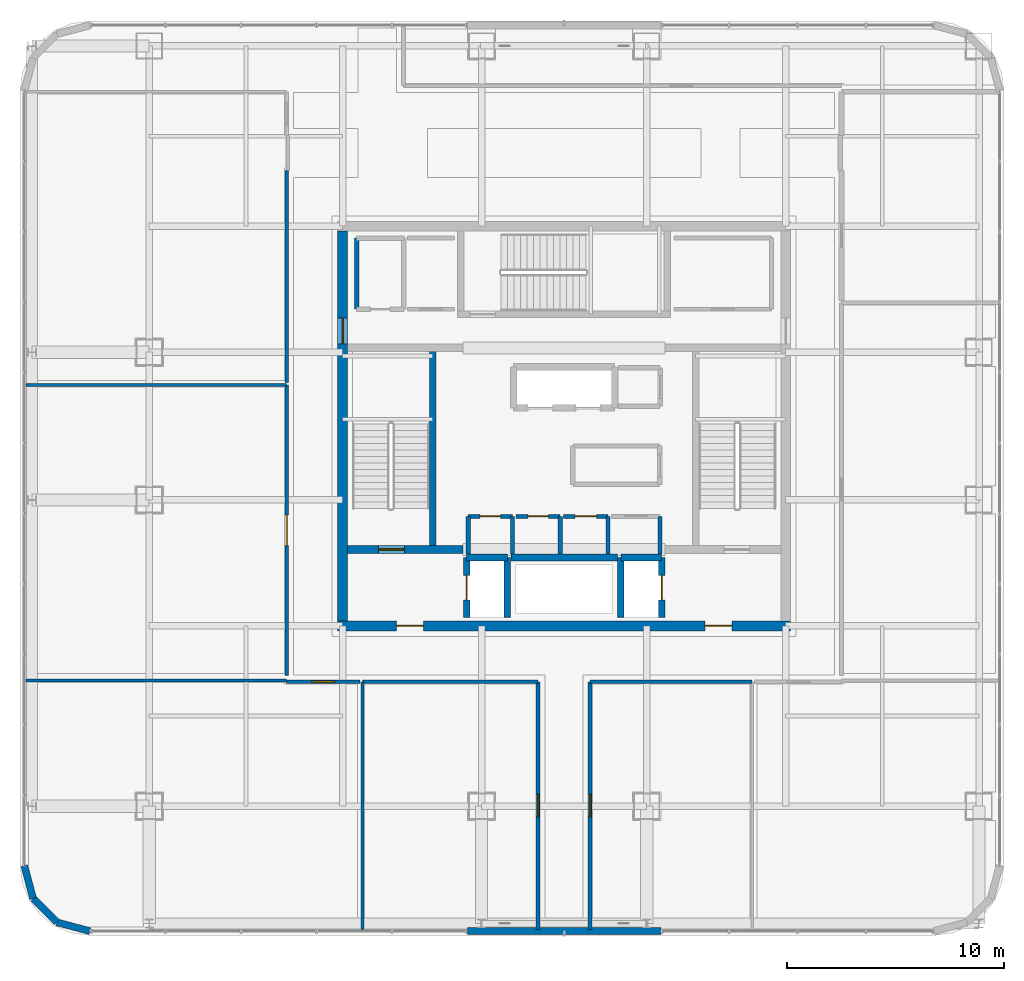
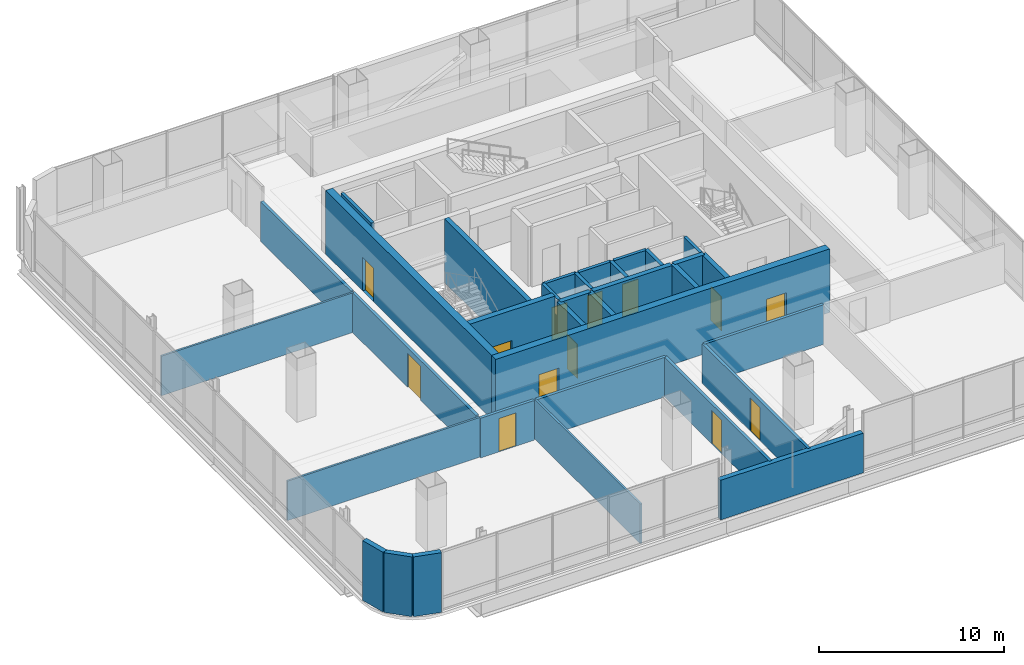
# One storey, part 35 of 46: 34 walls, 13 doors, 13 openings.
"""IFC4 building model written with IfcOpenShell, lengths in metres."""

from ifc_helpers import new_model, si_unit, direction, frame, frame_2d, origin, place, context, subcontext, project, spatial, rectangle, extrude, material, layer, layer_set, type_object, element, fill, save


model = new_model("IFC4")

# Units and contexts
model_context = context("Model", 3, precision=1e-05, world=origin(), true_north=direction((0.0, 1.0)))
body_context = subcontext(model_context, "Body", "Model", "MODEL_VIEW")
ifc_project = project(units=[si_unit("LENGTHUNIT", "METRE"), si_unit("AREAUNIT", "SQUARE_METRE"), si_unit("VOLUMEUNIT", "CUBIC_METRE"), si_unit("PLANEANGLEUNIT", "RADIAN"), si_unit("MASSUNIT", "GRAM", prefix="KILO")], contexts=[model_context])

# Site, building, storey
site_placement = place(None, origin())
site = spatial("IfcSite", under=ifc_project, at=site_placement, CompositionType="ELEMENT")
building_placement = place(site_placement, origin())
building = spatial("IfcBuilding", under=site, at=building_placement, Name="Punatoya Terracotta Tower", CompositionType="ELEMENT")
storey_placement = place(building_placement, frame((0.0, 0.0, 330.0)))
storey = spatial("IfcBuildingStorey", under=building, at=storey_placement, Name="L78", CompositionType="ELEMENT", Elevation=330.0)

# Wall, openings, doors
ifc_material_1 = material(Name="Concrete C50/60", Category="concrete")
ifc_layer_1 = layer(ifc_material_1, 0.449951171875)
ifc_layer_set_1 = layer_set([ifc_layer_1], Name="Concrete C50/60")
wall_type_1 = type_object("IfcWallType", Name="WL-COR-450", PredefinedType="SHEAR", material=ifc_layer_set_1)
wall_1_placement = place(storey_placement, frame((10.425048828125, -9.199951171875, 0.0), z_axis=(0.0, 0.0, 1.0), x_axis=(-1.0, 0.0, 0.0)))
wall_1 = element("IfcWall", 1, at=wall_1_placement, inside=storey, type_object=wall_type_1, Name="L78 Core Shear Wall S", PredefinedType="SHEAR", context=body_context, shape_type="SweptSolid", body=[
    extrude(rectangle(XDim=20.85009765625, YDim=0.449951171875, at=frame_2d((10.425048828125, 0.0))), origin(), (0.0, 0.0, 1.0), 4.199951171875),
])
opening_1_placement = place(wall_1_placement, frame((2.699951171875, 0.0, 0.0)))
opening_1 = element("IfcOpeningElement", 2, at=opening_1_placement, cuts=wall_1, Name="Opening FD-L1", PredefinedType="OPENING", context=body_context, shape_type="SweptSolid", body=[
    extrude(rectangle(XDim=1.25, YDim=2.25, at=frame_2d((0.625, 1.125))), frame((0.0, 0.23486328125, 0.0), z_axis=(0.0, -1.0, 0.0), x_axis=(1.0, 0.0, 0.0)), (0.0, 0.0, 1.0), 0.469970703125),
])
opening_2_placement = place(wall_1_placement, frame((16.89990234375, 0.0, 0.0)))
opening_2 = element("IfcOpeningElement", 3, at=opening_2_placement, cuts=wall_1, Name="Opening FD-L1", PredefinedType="OPENING", context=body_context, shape_type="SweptSolid", body=[
    extrude(rectangle(XDim=1.25, YDim=2.25, at=frame_2d((0.625, 1.125))), frame((0.0, 0.23486328125, 0.0), z_axis=(0.0, -1.0, 0.0), x_axis=(1.0, 0.0, 0.0)), (0.0, 0.0, 1.0), 0.469970703125),
])
ifc_material_2 = material(Name="Galvanised Steel Smokeproof Fire Door", Category="steel")
door_type_1 = type_object("IfcDoorType", Name="DR-FFL-1250", OperationType="NOTDEFINED", PredefinedType="DOOR", material=ifc_material_2)
door_1_placement = place(opening_1_placement, origin())
door_1 = element("IfcDoor", 4, at=door_1_placement, inside=storey, type_object=door_type_1, Name="L78 East Firefighting Lobby Corridor Fire Door", OperationType="SINGLE_SWING_LEFT", OverallHeight=2.25, OverallWidth=1.25, PredefinedType="DOOR", context=body_context, shape_type="SweptSolid", body=[
    extrude(rectangle(XDim=1.25, YDim=2.25, at=frame_2d((0.625, 1.125))), frame((0.0, 0.02490234375, 0.0), z_axis=(0.0, -1.0, 0.0), x_axis=(1.0, 0.0, 0.0)), (0.0, 0.0, 1.0), 0.050048828125),
])
fill(opening_1, door_1)
door_2_placement = place(opening_2_placement, origin())
door_2 = element("IfcDoor", 5, at=door_2_placement, inside=storey, type_object=door_type_1, Name="L78 West Firefighting Lobby Corridor Fire Door", OperationType="SINGLE_SWING_RIGHT", OverallHeight=2.25, OverallWidth=1.25, PredefinedType="DOOR", context=body_context, shape_type="SweptSolid", body=[
    extrude(rectangle(XDim=1.25, YDim=2.25, at=frame_2d((0.625, 1.125))), frame((0.0, 0.02490234375, 0.0), z_axis=(0.0, -1.0, 0.0), x_axis=(1.0, 0.0, 0.0)), (0.0, 0.0, 1.0), 0.050048828125),
])
fill(opening_2, door_2)

# Wall, opening, door
wall_2_placement = place(storey_placement, frame((-10.199951171875, -8.97509765625, 0.0), z_axis=(0.0, 0.0, 1.0), x_axis=(0.0, 1.0, 0.0)))
wall_2 = element("IfcWall", 6, at=wall_2_placement, inside=storey, type_object=wall_type_1, Name="L78 Core Shear Wall W", PredefinedType="SHEAR", context=body_context, shape_type="SweptSolid", body=[
    extrude(rectangle(XDim=17.9501953125, YDim=0.449951171875, at=frame_2d((8.97509765625, 0.0))), origin(), (0.0, 0.0, 1.0), 4.199951171875),
])
opening_3_placement = place(wall_2_placement, frame((12.764892578125, 0.0, 0.0)))
opening_3 = element("IfcOpeningElement", 7, at=opening_3_placement, cuts=wall_2, Name="Opening SD-01", PredefinedType="OPENING", context=body_context, shape_type="SweptSolid", body=[
    extrude(rectangle(XDim=1.179931640625, YDim=2.199951171875, at=frame_2d((0.58984375, 1.10009765625))), frame((0.0, 0.23486328125, 0.0), z_axis=(0.0, -1.0, 0.0), x_axis=(1.0, 0.0, 0.0)), (0.0, 0.0, 1.0), 0.469970703125),
])
ifc_material_3 = material(Name="Galvanised Steel Pressurized Stair Fire Door", Category="steel")
door_type_2 = type_object("IfcDoorType", Name="DR-STR-1180", OperationType="NOTDEFINED", PredefinedType="DOOR", material=ifc_material_3)
door_3_placement = place(opening_3_placement, origin())
door_3 = element("IfcDoor", 8, at=door_3_placement, inside=storey, type_object=door_type_2, Name="L78 Central Lift Lobby West Fire Door", OperationType="SINGLE_SWING_LEFT", OverallHeight=2.199951171875, OverallWidth=1.179931640625, PredefinedType="DOOR", context=body_context, shape_type="SweptSolid", body=[
    extrude(rectangle(XDim=1.179931640625, YDim=2.199951171875, at=frame_2d((0.58984375, 1.10009765625))), frame((0.0, 0.02490234375, 0.0), z_axis=(0.0, -1.0, 0.0), x_axis=(1.0, 0.0, 0.0)), (0.0, 0.0, 1.0), 0.050048828125),
])
fill(opening_3, door_3)

# Wall
ifc_material_4 = material(Name="Gypsum Fireboard + Steel Stud", Category="steel")
ifc_layer_2 = layer(ifc_material_4, 0.179931640625)
ifc_layer_set_2 = layer_set([ifc_layer_2], Name="Gypsum Fireboard + Steel Stud")
wall_type_2 = type_object("IfcWallType", Name="WL-CORR-180", PredefinedType="PARTITIONING", material=ifc_layer_set_2)
wall_3_placement = place(storey_placement, frame((4.419921875, -5.89990234375, 0.0), z_axis=(0.0, 0.0, 1.0), x_axis=(0.0, 1.0, 0.0)))
element("IfcWall", 9, at=wall_3_placement, inside=storey, type_object=wall_type_2, Name="L78 Core Reprographics Studio Partition 08", PredefinedType="PARTITIONING", context=body_context, shape_type="SweptSolid", body=[
    extrude(rectangle(XDim=1.739990234375, YDim=0.179931640625, at=frame_2d((0.8701171875, 0.0))), origin(), (0.0, 0.0, 1.0), 3.93994140625),
])

# Wall, opening, door
wall_4_placement = place(storey_placement, frame((-1.199951171875, -11.77001953125, 0.0), z_axis=(0.0, 0.0, 1.0), x_axis=(0.0, -1.0, 0.0)))
wall_4 = element("IfcWall", 10, at=wall_4_placement, inside=storey, type_object=wall_type_2, Name="L78 Open-Plan Computational Simulation Laboratory Partition 26", PredefinedType="PARTITIONING", context=body_context, shape_type="SweptSolid", body=[
    extrude(rectangle(XDim=11.39990234375, YDim=0.179931640625, at=frame_2d((5.699951171875, 0.0))), origin(), (0.0, 0.0, 1.0), 2.614013671875),
])
opening_4_placement = place(wall_4_placement, frame((5.175048828125, 0.0, 0.0)))
opening_4 = element("IfcOpeningElement", 11, at=opening_4_placement, cuts=wall_4, Name="Opening OD-01", PredefinedType="OPENING", context=body_context, shape_type="SweptSolid", body=[
    extrude(rectangle(XDim=1.050048828125, YDim=2.199951171875, at=frame_2d((0.52490234375, 1.10009765625))), frame((0.0, 0.099853515625, 0.0), z_axis=(0.0, -1.0, 0.0), x_axis=(1.0, 0.0, 0.0)), (0.0, 0.0, 1.0), 0.199951171875),
])
ifc_material_5 = material(Name="Bengal Teak Solid-Core Leaf")
door_type_3 = type_object("IfcDoorType", Name="DR-OFF-1050", OperationType="NOTDEFINED", PredefinedType="DOOR", material=ifc_material_5)
door_4_placement = place(opening_4_placement, origin())
door_4 = element("IfcDoor", 12, at=door_4_placement, inside=storey, type_object=door_type_3, Name="L78 Open-Plan Computational Simulation Laboratory Door", OperationType="SINGLE_SWING_LEFT", OverallHeight=2.199951171875, OverallWidth=1.050048828125, PredefinedType="DOOR", context=body_context, shape_type="SweptSolid", body=[
    extrude(rectangle(XDim=1.050048828125, YDim=2.199951171875, at=frame_2d((0.52490234375, 1.10009765625))), frame((0.0, 0.02490234375, 0.0), z_axis=(0.0, -1.0, 0.0), x_axis=(1.0, 0.0, 0.0)), (0.0, 0.0, 1.0), 0.050048828125),
])
fill(opening_4, door_4)

# Wall
wall_5_placement = place(storey_placement, frame((-9.284912109375, -11.77001953125, 0.0), z_axis=(0.0, 0.0, 1.0), x_axis=(1.0, 0.0, 0.0)))
element("IfcWall", 13, at=wall_5_placement, inside=storey, type_object=wall_type_2, Name="L78 Open-Plan Computational Simulation Laboratory Partition 28", PredefinedType="PARTITIONING", context=body_context, shape_type="SweptSolid", body=[
    extrude(rectangle(XDim=8.0849609375, YDim=0.179931640625, at=frame_2d((4.04248046875, 0.0))), origin(), (0.0, 0.0, 1.0), 2.614013671875),
])

# Wall, opening, door
wall_6_placement = place(storey_placement, frame((1.199951171875, -23.169921875, 0.0), z_axis=(0.0, 0.0, 1.0), x_axis=(0.0, 1.0, 0.0)))
wall_6 = element("IfcWall", 14, at=wall_6_placement, inside=storey, type_object=wall_type_2, Name="L78 Open-Plan Cartography Reference Library Partition 29", PredefinedType="PARTITIONING", context=body_context, shape_type="SweptSolid", body=[
    extrude(rectangle(XDim=11.39990234375, YDim=0.179931640625, at=frame_2d((5.699951171875, 0.0))), origin(), (0.0, 0.0, 1.0), 2.614013671875),
])
opening_5_placement = place(wall_6_placement, frame((5.175048828125, 0.0, 0.0)))
opening_5 = element("IfcOpeningElement", 15, at=opening_5_placement, cuts=wall_6, Name="Opening OD-01", PredefinedType="OPENING", context=body_context, shape_type="SweptSolid", body=[
    extrude(rectangle(XDim=1.050048828125, YDim=2.199951171875, at=frame_2d((0.52490234375, 1.10009765625))), frame((0.0, 0.099853515625, 0.0), z_axis=(0.0, -1.0, 0.0), x_axis=(1.0, 0.0, 0.0)), (0.0, 0.0, 1.0), 0.199951171875),
])
door_5_placement = place(opening_5_placement, origin())
door_5 = element("IfcDoor", 16, at=door_5_placement, inside=storey, type_object=door_type_3, Name="L78 Open-Plan Cartography Reference Library Door", OperationType="SINGLE_SWING_RIGHT", OverallHeight=2.199951171875, OverallWidth=1.050048828125, PredefinedType="DOOR", context=body_context, shape_type="SweptSolid", body=[
    extrude(rectangle(XDim=1.050048828125, YDim=2.199951171875, at=frame_2d((0.52490234375, 1.10009765625))), frame((0.0, 0.02490234375, 0.0), z_axis=(0.0, -1.0, 0.0), x_axis=(1.0, 0.0, 0.0)), (0.0, 0.0, 1.0), 0.050048828125),
])
fill(opening_5, door_5)

# Wall
wall_7_placement = place(storey_placement, frame((1.199951171875, -11.77001953125, 0.0), z_axis=(0.0, 0.0, 1.0), x_axis=(1.0, 0.0, 0.0)))
element("IfcWall", 17, at=wall_7_placement, inside=storey, type_object=wall_type_2, Name="L78 Open-Plan Cartography Reference Library Partition 30", PredefinedType="PARTITIONING", context=body_context, shape_type="SweptSolid", body=[
    extrude(rectangle(XDim=7.4521484375, YDim=0.179931640625, at=frame_2d((3.72607421875, 0.0))), origin(), (0.0, 0.0, 1.0), 2.614013671875),
])

# Wall, opening, door
wall_8_placement = place(storey_placement, frame((-12.77001953125, -11.77001953125, 0.0), z_axis=(0.0, 0.0, 1.0), x_axis=(1.0, 0.0, 0.0)))
wall_8 = element("IfcWall", 18, at=wall_8_placement, inside=storey, type_object=wall_type_2, Name="L78 Materials Testing Laboratory Partition 33", PredefinedType="PARTITIONING", context=body_context, shape_type="SweptSolid", body=[
    extrude(rectangle(XDim=3.364990234375, YDim=0.179931640625, at=frame_2d((1.6826171875, 0.0))), origin(), (0.0, 0.0, 1.0), 2.614013671875),
])
opening_6_placement = place(wall_8_placement, frame((1.157470703125, 0.0, 0.0)))
opening_6 = element("IfcOpeningElement", 19, at=opening_6_placement, cuts=wall_8, Name="Opening OD-01", PredefinedType="OPENING", context=body_context, shape_type="SweptSolid", body=[
    extrude(rectangle(XDim=1.050048828125, YDim=2.199951171875, at=frame_2d((0.52490234375, 1.10009765625))), frame((0.0, 0.099853515625, 0.0), z_axis=(0.0, -1.0, 0.0), x_axis=(1.0, 0.0, 0.0)), (0.0, 0.0, 1.0), 0.199951171875),
])
door_6_placement = place(opening_6_placement, origin())
door_6 = element("IfcDoor", 20, at=door_6_placement, inside=storey, type_object=door_type_3, Name="L78 Materials Testing Laboratory Door", OperationType="SINGLE_SWING_LEFT", OverallHeight=2.199951171875, OverallWidth=1.050048828125, PredefinedType="DOOR", context=body_context, shape_type="SweptSolid", body=[
    extrude(rectangle(XDim=1.050048828125, YDim=2.199951171875, at=frame_2d((0.52490234375, 1.10009765625))), frame((0.0, 0.02490234375, 0.0), z_axis=(0.0, -1.0, 0.0), x_axis=(1.0, 0.0, 0.0)), (0.0, 0.0, 1.0), 0.050048828125),
])
fill(opening_6, door_6)

wall_9_placement = place(storey_placement, frame((-12.77001953125, 1.889892578125, 0.0), z_axis=(0.0, 0.0, 1.0), x_axis=(0.0, -1.0, 0.0)))
wall_9 = element("IfcWall", 21, at=wall_9_placement, inside=storey, type_object=wall_type_2, Name="L78 Technical Seminar Room Partition 37", PredefinedType="PARTITIONING", context=body_context, shape_type="SweptSolid", body=[
    extrude(rectangle(XDim=13.3798828125, YDim=0.179931640625, at=frame_2d((6.68994140625, 0.0))), origin(), (0.0, 0.0, 1.0), 2.614013671875),
])
opening_7_placement = place(wall_9_placement, frame((5.989990234375, 0.0, 0.0)))
opening_7 = element("IfcOpeningElement", 22, at=opening_7_placement, cuts=wall_9, Name="Opening BD-01", PredefinedType="OPENING", context=body_context, shape_type="SweptSolid", body=[
    extrude(rectangle(XDim=1.39990234375, YDim=2.25, at=frame_2d((0.699951171875, 1.125))), frame((0.0, 0.099853515625, 0.0), z_axis=(0.0, -1.0, 0.0), x_axis=(1.0, 0.0, 0.0)), (0.0, 0.0, 1.0), 0.199951171875),
])
ifc_material_6 = material(Name="Bengal Teak Acoustic Leaf")
door_type_4 = type_object("IfcDoorType", Name="DR-BRD-1400", OperationType="NOTDEFINED", PredefinedType="DOOR", material=ifc_material_6)
door_7_placement = place(opening_7_placement, origin())
door_7 = element("IfcDoor", 23, at=door_7_placement, inside=storey, type_object=door_type_4, Name="L78 Technical Seminar Room Door", OperationType="SINGLE_SWING_LEFT", OverallHeight=2.25, OverallWidth=1.39990234375, PredefinedType="DOOR", context=body_context, shape_type="SweptSolid", body=[
    extrude(rectangle(XDim=1.39990234375, YDim=2.25, at=frame_2d((0.699951171875, 1.125))), frame((0.0, 0.02490234375, 0.0), z_axis=(0.0, -1.0, 0.0), x_axis=(1.0, 0.0, 0.0)), (0.0, 0.0, 1.0), 0.050048828125),
])
fill(opening_7, door_7)

# Walls
wall_10_placement = place(storey_placement, frame((-12.77001953125, 11.77001953125, 0.0), z_axis=(0.0, 0.0, 1.0), x_axis=(0.0, -1.0, 0.0)))
element("IfcWall", 24, at=wall_10_placement, inside=storey, type_object=wall_type_2, Name="L78 Wellness Rest Room Partition 43", PredefinedType="PARTITIONING", context=body_context, shape_type="SweptSolid", body=[
    extrude(rectangle(XDim=9.760009765625, YDim=0.179931640625, at=frame_2d((4.8798828125, 0.0))), origin(), (0.0, 0.0, 1.0), 2.614013671875),
])
ifc_material_7 = material(Name="Precast concrete C40/50", Category="concrete")
ifc_layer_3 = layer(ifc_material_7, 0.320068359375)
ifc_layer_set_3 = layer_set([ifc_layer_3], Name="Precast concrete C40/50")
wall_type_3 = type_object("IfcWallType", Name="WL-EXT-320", PredefinedType="SOLIDWALL", material=ifc_layer_set_3)
wall_11_placement = place(storey_placement, frame((-4.449951171875, -23.25, 0.0), z_axis=(0.0, 0.0, 1.0), x_axis=(1.0, 0.0, 0.0)))
element("IfcWall", 25, at=wall_11_placement, inside=storey, type_object=wall_type_3, Name="L78 Terracotta Braced Facade Wall S1", PredefinedType="SOLIDWALL", context=body_context, shape_type="SweptSolid", body=[
    extrude(rectangle(XDim=8.89990234375, YDim=0.320068359375, at=frame_2d((4.449951171875, 0.0))), origin(), (0.0, 0.0, 1.0), 2.614013671875),
])
wall_12_placement = place(storey_placement, frame((-24.85009765625, -20.23681640625, 0.0), z_axis=(0.0, 0.0, 1.0), x_axis=(0.257847112249, -0.966185730957, 0.0)))
element("IfcWall", 26, at=wall_12_placement, inside=storey, type_object=wall_type_3, Name="L78 Rounded Terracotta Corner Pier 14", PredefinedType="SOLIDWALL", context=body_context, shape_type="SweptSolid", body=[
    extrude(rectangle(XDim=1.565185546875, YDim=0.320068359375, at=frame_2d((0.78271484375, 0.0))), origin(), (0.0, 0.0, 1.0), 3.93994140625),
])
wall_13_placement = place(storey_placement, frame((-24.446533203125, -21.7490234375, 0.0), z_axis=(0.0, 0.0, 1.0), x_axis=(0.707028130747, -0.707185422879, 0.0)))
element("IfcWall", 27, at=wall_13_placement, inside=storey, type_object=wall_type_3, Name="L78 Rounded Terracotta Corner Pier 15", PredefinedType="SOLIDWALL", context=body_context, shape_type="SweptSolid", body=[
    extrude(rectangle(XDim=1.55224609375, YDim=0.320068359375, at=frame_2d((0.776123046875, 0.0))), origin(), (0.0, 0.0, 1.0), 3.93994140625),
])
wall_14_placement = place(storey_placement, frame((-23.34912109375, -22.8466796875, 0.0), z_axis=(0.0, 0.0, 1.0), x_axis=(0.966224582397, -0.257701486942, 0.0)))
element("IfcWall", 28, at=wall_14_placement, inside=storey, type_object=wall_type_3, Name="L78 Rounded Terracotta Corner Pier 16", PredefinedType="SOLIDWALL", context=body_context, shape_type="SweptSolid", body=[
    extrude(rectangle(XDim=1.565185546875, YDim=0.320068359375, at=frame_2d((0.78271484375, 0.0))), origin(), (0.0, 0.0, 1.0), 3.93994140625),
])
ifc_material_8 = material(Name="Concrete C40/50", Category="concrete")
ifc_layer_4 = layer(ifc_material_8, 0.199951171875)
ifc_layer_set_4 = layer_set([ifc_layer_4], Name="Concrete C40/50")
wall_type_4 = type_object("IfcWallType", Name="WL-INT-200", PredefinedType="SOLIDWALL", material=ifc_layer_set_4)
wall_15_placement = place(storey_placement, frame((-2.3798828125, -5.89990234375, 0.0), z_axis=(0.0, 0.0, 1.0), x_axis=(0.0, 1.0, 0.0)))
element("IfcWall", 29, at=wall_15_placement, inside=storey, type_object=wall_type_4, Name="L78 Male Washroom Partition 01", PredefinedType="SOLIDWALL", context=body_context, shape_type="SweptSolid", body=[
    extrude(rectangle(XDim=1.739990234375, YDim=0.199951171875, at=frame_2d((0.8701171875, 0.0))), origin(), (0.0, 0.0, 1.0), 3.93994140625),
])

# Wall, opening, door
wall_16_placement = place(storey_placement, frame((-2.3798828125, -4.159912109375, 0.0), z_axis=(0.0, 0.0, 1.0), x_axis=(-1.0, 0.0, 0.0)))
wall_16 = element("IfcWall", 30, at=wall_16_placement, inside=storey, type_object=wall_type_4, Name="L78 Male Washroom Partition 02", PredefinedType="SOLIDWALL", context=body_context, shape_type="SweptSolid", body=[
    extrude(rectangle(XDim=2.0400390625, YDim=0.199951171875, at=frame_2d((1.02001953125, 0.0))), origin(), (0.0, 0.0, 1.0), 3.93994140625),
])
opening_8_placement = place(wall_16_placement, frame((0.544921875, 0.0, 0.0)))
opening_8 = element("IfcOpeningElement", 31, at=opening_8_placement, cuts=wall_16, Name="Opening WD-01", PredefinedType="OPENING", context=body_context, shape_type="SweptSolid", body=[
    extrude(rectangle(XDim=0.949951171875, YDim=2.14990234375, at=frame_2d((0.47509765625, 1.074951171875))), frame((0.0, 0.10986328125, 0.0), z_axis=(0.0, -1.0, 0.0), x_axis=(1.0, 0.0, 0.0)), (0.0, 0.0, 1.0), 0.219970703125),
])
ifc_material_9 = material(Name="Moisture-Resistant Laminate Timber Leaf", Category="wood")
door_type_5 = type_object("IfcDoorType", Name="DR-WC-950", OperationType="NOTDEFINED", PredefinedType="DOOR", material=ifc_material_9)
door_8_placement = place(opening_8_placement, origin())
door_8 = element("IfcDoor", 32, at=door_8_placement, inside=storey, type_object=door_type_5, Name="L78 Male Washroom Door", OperationType="SINGLE_SWING_RIGHT", OverallHeight=2.14990234375, OverallWidth=0.949951171875, PredefinedType="DOOR", context=body_context, shape_type="SweptSolid", body=[
    extrude(rectangle(XDim=0.949951171875, YDim=2.14990234375, at=frame_2d((0.47509765625, 1.074951171875))), frame((0.0, 0.02490234375, 0.0), z_axis=(0.0, -1.0, 0.0), x_axis=(1.0, 0.0, 0.0)), (0.0, 0.0, 1.0), 0.050048828125),
])
fill(opening_8, door_8)

# Walls
for number, where, z_axis, x_axis, name in (
    (33, (-4.419921875, -4.159912109375, 0.0), (0.0, 0.0, 1.0), (0.0, -1.0, 0.0), "L78 Male Washroom Partition 03"),
    (34, (-0.179931640625, -5.89990234375, 0.0), (0.0, 0.0, 1.0), (0.0, 1.0, 0.0), "L78 Female Washroom Partition 04"),
):
    element("IfcWall", number, at=place(storey_placement, frame(where, z_axis=z_axis, x_axis=x_axis)), inside=storey, type_object=wall_type_4, Name=name, PredefinedType="SOLIDWALL", context=body_context, shape_type="SweptSolid", body=[
        extrude(rectangle(XDim=1.739990234375, YDim=0.199951171875, at=frame_2d((0.8701171875, 0.0))), origin(), (0.0, 0.0, 1.0), 3.93994140625),
    ])

# Wall, opening, door
wall_17_placement = place(storey_placement, frame((-0.179931640625, -4.159912109375, 0.0), z_axis=(0.0, 0.0, 1.0), x_axis=(-1.0, 0.0, 0.0)))
wall_17 = element("IfcWall", 35, at=wall_17_placement, inside=storey, type_object=wall_type_4, Name="L78 Female Washroom Partition 05", PredefinedType="SOLIDWALL", context=body_context, shape_type="SweptSolid", body=[
    extrude(rectangle(XDim=2.0400390625, YDim=0.199951171875, at=frame_2d((1.02001953125, 0.0))), origin(), (0.0, 0.0, 1.0), 3.93994140625),
])
opening_9_placement = place(wall_17_placement, frame((0.544921875, 0.0, 0.0)))
opening_9 = element("IfcOpeningElement", 36, at=opening_9_placement, cuts=wall_17, Name="Opening WD-01", PredefinedType="OPENING", context=body_context, shape_type="SweptSolid", body=[
    extrude(rectangle(XDim=0.949951171875, YDim=2.14990234375, at=frame_2d((0.47509765625, 1.074951171875))), frame((0.0, 0.10986328125, 0.0), z_axis=(0.0, -1.0, 0.0), x_axis=(1.0, 0.0, 0.0)), (0.0, 0.0, 1.0), 0.219970703125),
])
door_9_placement = place(opening_9_placement, origin())
door_9 = element("IfcDoor", 37, at=door_9_placement, inside=storey, type_object=door_type_5, Name="L78 Female Washroom Door", OperationType="SINGLE_SWING_LEFT", OverallHeight=2.14990234375, OverallWidth=0.949951171875, PredefinedType="DOOR", context=body_context, shape_type="SweptSolid", body=[
    extrude(rectangle(XDim=0.949951171875, YDim=2.14990234375, at=frame_2d((0.47509765625, 1.074951171875))), frame((0.0, 0.02490234375, 0.0), z_axis=(0.0, -1.0, 0.0), x_axis=(1.0, 0.0, 0.0)), (0.0, 0.0, 1.0), 0.050048828125),
])
fill(opening_9, door_9)

# Wall
wall_18_placement = place(storey_placement, frame((2.02001953125, -5.89990234375, 0.0), z_axis=(0.0, 0.0, 1.0), x_axis=(0.0, 1.0, 0.0)))
element("IfcWall", 38, at=wall_18_placement, inside=storey, type_object=wall_type_4, Name="L78 Accessible Universal Washroom Partition 06", PredefinedType="SOLIDWALL", context=body_context, shape_type="SweptSolid", body=[
    extrude(rectangle(XDim=1.739990234375, YDim=0.199951171875, at=frame_2d((0.8701171875, 0.0))), origin(), (0.0, 0.0, 1.0), 3.93994140625),
])

# Wall, opening, door
wall_19_placement = place(storey_placement, frame((2.02001953125, -4.159912109375, 0.0), z_axis=(0.0, 0.0, 1.0), x_axis=(-1.0, 0.0, 0.0)))
wall_19 = element("IfcWall", 39, at=wall_19_placement, inside=storey, type_object=wall_type_4, Name="L78 Accessible Universal Washroom Partition 07", PredefinedType="SOLIDWALL", context=body_context, shape_type="SweptSolid", body=[
    extrude(rectangle(XDim=2.0400390625, YDim=0.199951171875, at=frame_2d((1.02001953125, 0.0))), origin(), (0.0, 0.0, 1.0), 3.93994140625),
])
opening_10_placement = place(wall_19_placement, frame((0.52001953125, 0.0, 0.0)))
opening_10 = element("IfcOpeningElement", 40, at=opening_10_placement, cuts=wall_19, Name="Opening AWD-1", PredefinedType="OPENING", context=body_context, shape_type="SweptSolid", body=[
    extrude(rectangle(XDim=1.0, YDim=2.14990234375, at=frame_2d((0.5, 1.074951171875))), frame((0.0, 0.10986328125, 0.0), z_axis=(0.0, -1.0, 0.0), x_axis=(1.0, 0.0, 0.0)), (0.0, 0.0, 1.0), 0.219970703125),
])
ifc_material_10 = material(Name="Bengal Teak Accessible WC Leaf")
door_type_6 = type_object("IfcDoorType", Name="DR-ACC-1000", OperationType="NOTDEFINED", PredefinedType="DOOR", material=ifc_material_10)
door_10_placement = place(opening_10_placement, origin())
door_10 = element("IfcDoor", 41, at=door_10_placement, inside=storey, type_object=door_type_6, Name="L78 Accessible Universal Washroom Door", OperationType="SINGLE_SWING_RIGHT", OverallHeight=2.14990234375, OverallWidth=1.0, PredefinedType="DOOR", context=body_context, shape_type="SweptSolid", body=[
    extrude(rectangle(XDim=1.0, YDim=2.14990234375, at=frame_2d((0.5, 1.074951171875))), frame((0.0, 0.02490234375, 0.0), z_axis=(0.0, -1.0, 0.0), x_axis=(1.0, 0.0, 0.0)), (0.0, 0.0, 1.0), 0.050048828125),
])
fill(opening_10, door_10)

# Walls
wall_20_placement = place(storey_placement, frame((-9.550048828125, 8.64990234375, 0.0), z_axis=(0.0, 0.0, 1.0), x_axis=(0.0, -1.0, 0.0)))
element("IfcWall", 42, at=wall_20_placement, inside=storey, type_object=wall_type_4, Name="L78 West Core Archive Vault Partition 19", PredefinedType="SOLIDWALL", context=body_context, shape_type="SweptSolid", body=[
    extrude(rectangle(XDim=3.27001953125, YDim=0.199951171875, at=frame_2d((1.635009765625, 0.0))), origin(), (0.0, 0.0, 1.0), 3.93994140625),
])
ifc_material_11 = material(Name="Gypsum Partition + Steel Stud", Category="steel")
ifc_layer_5 = layer(ifc_material_11, 0.1201171875)
ifc_layer_set_5 = layer_set([ifc_layer_5], Name="Gypsum Partition + Steel Stud")
wall_type_5 = type_object("IfcWallType", Name="WL-OFF-120", PredefinedType="PARTITIONING", material=ifc_layer_set_5)
wall_21_placement = place(storey_placement, frame((-9.284912109375, -23.169921875, 0.0), z_axis=(0.0, 0.0, 1.0), x_axis=(0.0, 1.0, 0.0)))
element("IfcWall", 43, at=wall_21_placement, inside=storey, type_object=wall_type_5, Name="L78 Open-Plan Computational Simulation Laboratory Partition 27", PredefinedType="PARTITIONING", context=body_context, shape_type="SweptSolid", body=[
    extrude(rectangle(XDim=11.39990234375, YDim=0.1201171875, at=frame_2d((5.699951171875, 0.0))), origin(), (0.0, 0.0, 1.0), 2.614013671875),
])
for number, where, z_axis, x_axis, name in (
    (44, (-24.77001953125, -11.7099609375, 0.0), (0.0, 0.0, 1.0), (1.0, 0.0, 0.0), "L78 Materials Testing Laboratory Partition 32"),
    (45, (-24.77001953125, 1.889892578125, 0.0), (0.0, 0.0, 1.0), (1.0, 0.0, 0.0), "L78 Technical Seminar Room Partition 36"),
):
    element("IfcWall", number, at=place(storey_placement, frame(where, z_axis=z_axis, x_axis=x_axis)), inside=storey, type_object=wall_type_5, Name=name, PredefinedType="PARTITIONING", context=body_context, shape_type="SweptSolid", body=[
        extrude(rectangle(XDim=12.0, YDim=0.1201171875, at=frame_2d((6.0, 0.0))), origin(), (0.0, 0.0, 1.0), 2.614013671875),
    ])
ifc_layer_6 = layer(ifc_material_8, 0.300048828125)
ifc_layer_set_6 = layer_set([ifc_layer_6], Name="Concrete C40/50")
wall_type_6 = type_object("IfcWallType", Name="WL-SHF-300", PredefinedType="SOLIDWALL", material=ifc_layer_set_6)
wall_22_placement = place(storey_placement, frame((-6.050048828125, -5.5, 0.0), z_axis=(0.0, 0.0, 1.0), x_axis=(0.0, 1.0, 0.0)))
element("IfcWall", 46, at=wall_22_placement, inside=storey, type_object=wall_type_6, Name="L78 Structural Stair Shaft Wall SW-ST1-E", PredefinedType="SOLIDWALL", context=body_context, shape_type="SweptSolid", body=[
    extrude(rectangle(XDim=8.949951171875, YDim=0.300048828125, at=frame_2d((4.47509765625, 0.0))), origin(), (0.0, 0.0, 1.0), 4.199951171875),
])

# Wall, opening, door
wall_23_placement = place(storey_placement, frame((-4.489990234375, -8.820068359375, 0.0), z_axis=(0.0, 0.0, 1.0), x_axis=(0.0, 1.0, 0.0)))
wall_23 = element("IfcWall", 47, at=wall_23_placement, inside=storey, type_object=wall_type_6, Name="L78 FFL-1 Front Hoistway Wall", PredefinedType="SOLIDWALL", context=body_context, shape_type="SweptSolid", body=[
    extrude(rectangle(XDim=2.77001953125, YDim=0.300048828125, at=frame_2d((1.385009765625, 0.0))), origin(), (0.0, 0.0, 1.0), 3.93994140625),
])
opening_11_placement = place(wall_23_placement, frame((0.824951171875, 0.0, 0.0)))
opening_11 = element("IfcOpeningElement", 48, at=opening_11_placement, cuts=wall_23, Name="Opening LD-02", PredefinedType="OPENING", context=body_context, shape_type="SweptSolid", body=[
    extrude(rectangle(XDim=1.1201171875, YDim=2.25, at=frame_2d((0.56005859375, 1.125))), frame((0.0, 0.159912109375, 0.0), z_axis=(0.0, -1.0, 0.0), x_axis=(1.0, 0.0, 0.0)), (0.0, 0.0, 1.0), 0.320068359375),
])
ifc_material_12 = material(Name="Stainless Steel Lift Landing Door", Category="steel")
door_type_7 = type_object("IfcDoorType", Name="DR-LND-1120", OperationType="NOTDEFINED", PredefinedType="DOOR", material=ifc_material_12)
door_11_placement = place(opening_11_placement, origin())
door_11 = element("IfcDoor", 49, at=door_11_placement, inside=storey, type_object=door_type_7, Name="L78 Firefighting Lift FFL-1 Sliding Landing Door", OperationType="SLIDING_TO_LEFT", OverallHeight=2.25, OverallWidth=1.1201171875, PredefinedType="DOOR", context=body_context, shape_type="SweptSolid", body=[
    extrude(rectangle(XDim=1.1201171875, YDim=2.25, at=frame_2d((0.56005859375, 1.125))), frame((0.0, 0.02490234375, 0.0), z_axis=(0.0, -1.0, 0.0), x_axis=(1.0, 0.0, 0.0)), (0.0, 0.0, 1.0), 0.050048828125),
])
fill(opening_11, door_11)

# Walls
wall_24_placement = place(storey_placement, frame((-2.610107421875, -8.820068359375, 0.0), z_axis=(0.0, 0.0, 1.0), x_axis=(0.0, 1.0, 0.0)))
element("IfcWall", 50, at=wall_24_placement, inside=storey, type_object=wall_type_6, Name="L78 FFL-1 Rear Hoistway Wall", PredefinedType="SOLIDWALL", context=body_context, shape_type="SweptSolid", body=[
    extrude(rectangle(XDim=2.77001953125, YDim=0.300048828125, at=frame_2d((1.385009765625, 0.0))), origin(), (0.0, 0.0, 1.0), 3.93994140625),
])
wall_25_placement = place(storey_placement, frame((-4.489990234375, -6.050048828125, 0.0), z_axis=(0.0, 0.0, 1.0), x_axis=(1.0, 0.0, 0.0)))
element("IfcWall", 51, at=wall_25_placement, inside=storey, type_object=wall_type_6, Name="L78 FFL-1 North Hoistway Wall", PredefinedType="SOLIDWALL", context=body_context, shape_type="SweptSolid", body=[
    extrude(rectangle(XDim=1.8798828125, YDim=0.300048828125, at=frame_2d((0.93994140625, 0.0))), origin(), (0.0, 0.0, 1.0), 3.93994140625),
])

# Wall, opening, door
wall_26_placement = place(storey_placement, frame((4.489990234375, -8.820068359375, 0.0), z_axis=(0.0, 0.0, 1.0), x_axis=(0.0, 1.0, 0.0)))
wall_26 = element("IfcWall", 52, at=wall_26_placement, inside=storey, type_object=wall_type_6, Name="L78 FFL-2 Front Hoistway Wall", PredefinedType="SOLIDWALL", context=body_context, shape_type="SweptSolid", body=[
    extrude(rectangle(XDim=2.77001953125, YDim=0.300048828125, at=frame_2d((1.385009765625, 0.0))), origin(), (0.0, 0.0, 1.0), 3.93994140625),
])
opening_12_placement = place(wall_26_placement, frame((0.824951171875, 0.0, 0.0)))
opening_12 = element("IfcOpeningElement", 53, at=opening_12_placement, cuts=wall_26, Name="Opening LD-02", PredefinedType="OPENING", context=body_context, shape_type="SweptSolid", body=[
    extrude(rectangle(XDim=1.1201171875, YDim=2.25, at=frame_2d((0.56005859375, 1.125))), frame((0.0, 0.159912109375, 0.0), z_axis=(0.0, -1.0, 0.0), x_axis=(1.0, 0.0, 0.0)), (0.0, 0.0, 1.0), 0.320068359375),
])
door_12_placement = place(opening_12_placement, origin())
door_12 = element("IfcDoor", 54, at=door_12_placement, inside=storey, type_object=door_type_7, Name="L78 Firefighting Lift FFL-2 Sliding Landing Door", OperationType="SLIDING_TO_RIGHT", OverallHeight=2.25, OverallWidth=1.1201171875, PredefinedType="DOOR", context=body_context, shape_type="SweptSolid", body=[
    extrude(rectangle(XDim=1.1201171875, YDim=2.25, at=frame_2d((0.56005859375, 1.125))), frame((0.0, 0.02490234375, 0.0), z_axis=(0.0, -1.0, 0.0), x_axis=(1.0, 0.0, 0.0)), (0.0, 0.0, 1.0), 0.050048828125),
])
fill(opening_12, door_12)

# Walls
wall_27_placement = place(storey_placement, frame((2.610107421875, -8.820068359375, 0.0), z_axis=(0.0, 0.0, 1.0), x_axis=(0.0, 1.0, 0.0)))
element("IfcWall", 55, at=wall_27_placement, inside=storey, type_object=wall_type_6, Name="L78 FFL-2 Rear Hoistway Wall", PredefinedType="SOLIDWALL", context=body_context, shape_type="SweptSolid", body=[
    extrude(rectangle(XDim=2.77001953125, YDim=0.300048828125, at=frame_2d((1.385009765625, 0.0))), origin(), (0.0, 0.0, 1.0), 3.93994140625),
])
wall_28_placement = place(storey_placement, frame((2.610107421875, -6.050048828125, 0.0), z_axis=(0.0, 0.0, 1.0), x_axis=(1.0, 0.0, 0.0)))
element("IfcWall", 56, at=wall_28_placement, inside=storey, type_object=wall_type_6, Name="L78 FFL-2 North Hoistway Wall", PredefinedType="SOLIDWALL", context=body_context, shape_type="SweptSolid", body=[
    extrude(rectangle(XDim=1.8798828125, YDim=0.300048828125, at=frame_2d((0.93994140625, 0.0))), origin(), (0.0, 0.0, 1.0), 3.93994140625),
])
wall_29_placement = place(storey_placement, frame((-2.449951171875, -6.050048828125, 0.0), z_axis=(0.0, 0.0, 1.0), x_axis=(1.0, 0.0, 0.0)))
element("IfcWall", 57, at=wall_29_placement, inside=storey, type_object=wall_type_6, Name="L78 Observation Shuttle Rear Hoistway Wall", PredefinedType="SOLIDWALL", context=body_context, shape_type="SweptSolid", body=[
    extrude(rectangle(XDim=4.89990234375, YDim=0.300048828125, at=frame_2d((2.449951171875, 0.0))), origin(), (0.0, 0.0, 1.0), 3.93994140625),
])

# Wall, opening, door
ifc_layer_7 = layer(ifc_material_1, 0.35009765625)
ifc_layer_set_7 = layer_set([ifc_layer_7], Name="Concrete C50/60")
wall_type_7 = type_object("IfcWallType", Name="WL-SHF-350", PredefinedType="SOLIDWALL", material=ifc_layer_set_7)
wall_30_placement = place(storey_placement, frame((-9.97509765625, -5.679931640625, 0.0), z_axis=(0.0, 0.0, 1.0), x_axis=(1.0, 0.0, 0.0)))
wall_30 = element("IfcWall", 58, at=wall_30_placement, inside=storey, type_object=wall_type_7, Name="L78 Core Web Wall CSW-L", PredefinedType="SOLIDWALL", context=body_context, shape_type="SweptSolid", body=[
    extrude(rectangle(XDim=5.3251953125, YDim=0.35009765625, at=frame_2d((2.66259765625, 0.0))), origin(), (0.0, 0.0, 1.0), 4.199951171875),
])
opening_13_placement = place(wall_30_placement, frame((1.43505859375, 0.0, 0.0)))
opening_13 = element("IfcOpeningElement", 59, at=opening_13_placement, cuts=wall_30, Name="Opening SD-01", PredefinedType="OPENING", context=body_context, shape_type="SweptSolid", body=[
    extrude(rectangle(XDim=1.179931640625, YDim=2.199951171875, at=frame_2d((0.58984375, 1.10009765625))), frame((0.0, 0.18505859375, 0.0), z_axis=(0.0, -1.0, 0.0), x_axis=(1.0, 0.0, 0.0)), (0.0, 0.0, 1.0), 0.3701171875),
])
door_13_placement = place(opening_13_placement, origin())
door_13 = element("IfcDoor", 60, at=door_13_placement, inside=storey, type_object=door_type_2, Name="L78 Stair ST-1 Smokeproof Lobby Fire Door", OperationType="SINGLE_SWING_LEFT", OverallHeight=2.199951171875, OverallWidth=1.179931640625, PredefinedType="DOOR", context=body_context, shape_type="SweptSolid", body=[
    extrude(rectangle(XDim=1.179931640625, YDim=2.199951171875, at=frame_2d((0.58984375, 1.10009765625))), frame((0.0, 0.02490234375, 0.0), z_axis=(0.0, -1.0, 0.0), x_axis=(1.0, 0.0, 0.0)), (0.0, 0.0, 1.0), 0.050048828125),
])
fill(opening_13, door_13)

save(model, "model.ifc")
